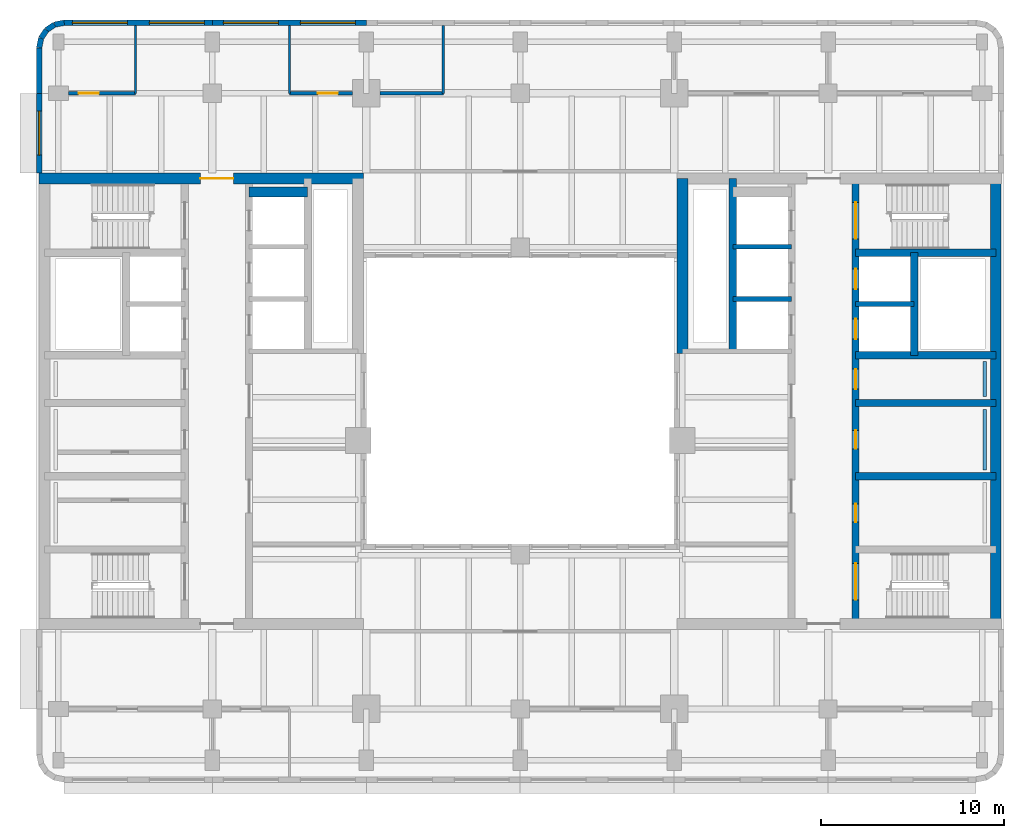
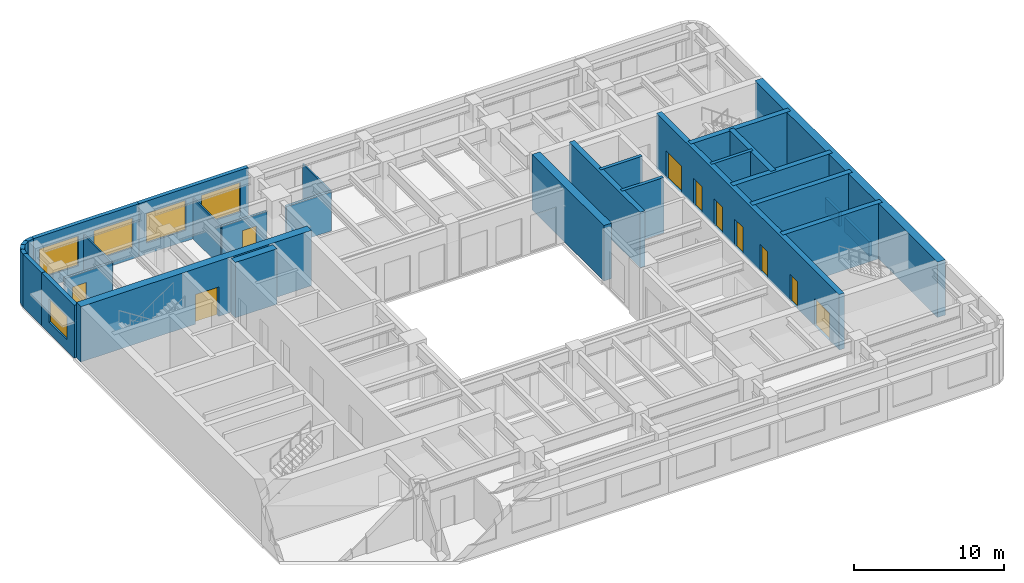
# One storey, part 6 of 13: 30 walls, 10 doors, 5 windows, 15 openings.
"""IFC4 building model written with IfcOpenShell, lengths in metres."""

from ifc_helpers import new_model, si_unit, direction, frame, frame_2d, origin, place, context, subcontext, project, spatial, rectangle, extrude, material, layer, layer_set, type_object, element, fill, save


model = new_model("IFC4")

# Units and contexts
model_context = context("Model", 3, precision=1e-05, world=origin(), true_north=direction((0.0, 1.0)))
body_context = subcontext(model_context, "Body", "Model", "MODEL_VIEW")
ifc_project = project(units=[si_unit("LENGTHUNIT", "METRE"), si_unit("AREAUNIT", "SQUARE_METRE"), si_unit("VOLUMEUNIT", "CUBIC_METRE"), si_unit("PLANEANGLEUNIT", "RADIAN"), si_unit("MASSUNIT", "GRAM", prefix="KILO")], contexts=[model_context])

# Site, building, storey
site_placement = place(None, origin())
site = spatial("IfcSite", under=ifc_project, at=site_placement, CompositionType="ELEMENT")
building_placement = place(site_placement, origin())
building = spatial("IfcBuilding", under=site, at=building_placement, Name="Claustro Exchange Tower", CompositionType="ELEMENT")
storey_placement = place(building_placement, frame((0.0, 0.0, 277.199951171875)))
storey = spatial("IfcBuildingStorey", under=building, at=storey_placement, Name="L63", CompositionType="ELEMENT", Elevation=277.199951171875)

# Walls
ifc_material_1 = material(Name="Laminated glass in aluminium frame", Category="aluminium")
ifc_layer_1 = layer(ifc_material_1, 0.1201171875)
ifc_layer_set_1 = layer_set([ifc_layer_1], Name="Laminated glass in aluminium frame")
wall_type_1 = type_object("IfcWallType", Name="P2 120 glazed partition", PredefinedType="PARTITIONING", material=ifc_layer_set_1)
for number, where, z_axis, x_axis, name in (
    (1, (4.199951171875, 42.0, 0.0), (0.0, 0.0, 1.0), (0.0, 1.0, 0.0), "Partition P2 L63"),
    (2, (12.60009765625, 42.0, 0.0), (0.0, 0.0, 1.0), (0.0, 1.0, 0.0), "Partition P2 L63"),
):
    element("IfcWall", number, at=place(storey_placement, frame(where, z_axis=z_axis, x_axis=x_axis)), inside=storey, type_object=wall_type_1, Name=name, PredefinedType="PARTITIONING", context=body_context, shape_type="SweptSolid", body=[
        extrude(rectangle(XDim=3.701904296875, YDim=0.1201171875, at=frame_2d((1.85107421875, 0.0))), origin(), (0.0, 0.0, 1.0), 3.2919921875),
    ])
wall_1_placement = place(storey_placement, frame((21.0, 42.0, 0.0), z_axis=(0.0, 0.0, 1.0), x_axis=(0.0, 1.0, 0.0)))
element("IfcWall", 3, at=wall_1_placement, inside=storey, type_object=wall_type_1, Name="Partition P2 L63", PredefinedType="PARTITIONING", context=body_context, shape_type="SweptSolid", body=[
    extrude(rectangle(XDim=3.701904296875, YDim=0.1201171875, at=frame_2d((1.85107421875, 0.0))), origin(), (0.0, 0.0, 1.0), 3.18212890625),
])

# Wall, opening, door
ifc_material_2 = material(Name="Twin-skin gypsum board on steel studs, mineral wool", Category="steel")
ifc_layer_2 = layer(ifc_material_2, 0.199951171875)
ifc_layer_set_2 = layer_set([ifc_layer_2], Name="Twin-skin gypsum board on steel studs, mineral wool")
wall_type_2 = type_object("IfcWallType", Name="P3 200 acoustic partition", PredefinedType="PARTITIONING", material=ifc_layer_set_2)
wall_2_placement = place(storey_placement, frame((0.549072265625, 42.0, 0.0), z_axis=(0.0, 0.0, 1.0), x_axis=(1.0, 0.0, 0.0)))
wall_2 = element("IfcWall", 4, at=wall_2_placement, inside=storey, type_object=wall_type_2, Name="Partition P3 L63", PredefinedType="PARTITIONING", context=body_context, shape_type="SweptSolid", body=[
    extrude(rectangle(XDim=3.65087890625, YDim=0.199951171875, at=frame_2d((1.825439453125, 0.0))), origin(), (0.0, 0.0, 1.0), 3.2919921875),
])
opening_1_placement = place(wall_2_placement, frame((0.551025390625, 0.0, 0.0)))
opening_1 = element("IfcOpeningElement", 5, at=opening_1_placement, cuts=wall_2, Name="Opening D8", PredefinedType="OPENING", context=body_context, shape_type="SweptSolid", body=[
    extrude(rectangle(XDim=1.10009765625, YDim=2.39990234375, at=frame_2d((0.550048828125, 1.199951171875))), frame((0.0, 0.10986328125, 0.0), z_axis=(0.0, -1.0, 0.0), x_axis=(1.0, 0.0, 0.0)), (0.0, 0.0, 1.0), 0.219970703125),
])
ifc_material_3 = material(Name="Timber door, walnut veneer", Category="wood")
door_type_1 = type_object("IfcDoorType", Name="D8 1100 x 2400 executive door", OperationType="SINGLE_SWING_LEFT", PredefinedType="DOOR", material=ifc_material_3)
door_1_placement = place(opening_1_placement, origin())
door_1 = element("IfcDoor", 6, at=door_1_placement, inside=storey, type_object=door_type_1, Name="Door D8 L63", OperationType="SINGLE_SWING_RIGHT", OverallHeight=2.39990234375, OverallWidth=1.10009765625, PredefinedType="DOOR", context=body_context, shape_type="SweptSolid", body=[
    extrude(rectangle(XDim=1.10009765625, YDim=2.39990234375, at=frame_2d((0.550048828125, 1.199951171875))), frame((0.0, 0.02490234375, 0.0), z_axis=(0.0, -1.0, 0.0), x_axis=(1.0, 0.0, 0.0)), (0.0, 0.0, 1.0), 0.050048828125),
])
fill(opening_1, door_1)

wall_3_placement = place(storey_placement, frame((12.60009765625, 42.0, 0.0), z_axis=(0.0, 0.0, 1.0), x_axis=(1.0, 0.0, 0.0)))
wall_3 = element("IfcWall", 7, at=wall_3_placement, inside=storey, type_object=wall_type_2, Name="Partition P3 L63", PredefinedType="PARTITIONING", context=body_context, shape_type="SweptSolid", body=[
    extrude(rectangle(XDim=3.450927734375, YDim=0.199951171875, at=frame_2d((1.7255859375, 0.0))), origin(), (0.0, 0.0, 1.0), 3.2919921875),
])
opening_2_placement = place(wall_3_placement, frame((1.550048828125, 0.0, 0.0)))
opening_2 = element("IfcOpeningElement", 8, at=opening_2_placement, cuts=wall_3, Name="Opening D8", PredefinedType="OPENING", context=body_context, shape_type="SweptSolid", body=[
    extrude(rectangle(XDim=1.10009765625, YDim=2.39990234375, at=frame_2d((0.550048828125, 1.199951171875))), frame((0.0, 0.10986328125, 0.0), z_axis=(0.0, -1.0, 0.0), x_axis=(1.0, 0.0, 0.0)), (0.0, 0.0, 1.0), 0.219970703125),
])
door_2_placement = place(opening_2_placement, origin())
door_2 = element("IfcDoor", 9, at=door_2_placement, inside=storey, type_object=door_type_1, Name="Door D8 L63", OperationType="SINGLE_SWING_LEFT", OverallHeight=2.39990234375, OverallWidth=1.10009765625, PredefinedType="DOOR", context=body_context, shape_type="SweptSolid", body=[
    extrude(rectangle(XDim=1.10009765625, YDim=2.39990234375, at=frame_2d((0.550048828125, 1.199951171875))), frame((0.0, 0.02490234375, 0.0), z_axis=(0.0, -1.0, 0.0), x_axis=(1.0, 0.0, 0.0)), (0.0, 0.0, 1.0), 0.050048828125),
])
fill(opening_2, door_2)

# Wall
wall_4_placement = place(storey_placement, frame((17.549072265625, 42.0, 0.0), z_axis=(0.0, 0.0, 1.0), x_axis=(1.0, 0.0, 0.0)))
element("IfcWall", 10, at=wall_4_placement, inside=storey, type_object=wall_type_2, Name="Partition P3 L63", PredefinedType="PARTITIONING", context=body_context, shape_type="SweptSolid", body=[
    extrude(rectangle(XDim=3.450927734375, YDim=0.199951171875, at=frame_2d((1.7255859375, 0.0))), origin(), (0.0, 0.0, 1.0), 3.18212890625),
])

# Wall, opening, window
ifc_material_4 = material(Name="Concrete HA-40 (C40/50), precast, white cement, acid-etched", Category="concrete")
ifc_layer_3 = layer(ifc_material_4, 0.300048828125)
ifc_layer_set_3 = layer_set([ifc_layer_3], Name="Concrete HA-40 (C40/50), precast, white cement, acid-etched")
wall_type_3 = type_object("IfcWallType", Name="PC1 300 precast concrete pier panel", PredefinedType="SOLIDWALL", material=ifc_layer_set_3)
wall_5_placement = place(storey_placement, frame((-1.050048828125, 37.64990234375, 0.0), z_axis=(0.0, 0.0, 1.0), x_axis=(0.0, 1.0, 0.0)))
wall_5 = element("IfcWall", 11, at=wall_5_placement, inside=storey, type_object=wall_type_3, Name="Precast pier panel PC1 L63", PredefinedType="SOLIDWALL", context=body_context, shape_type="SweptSolid", body=[
    extrude(rectangle(XDim=4.35009765625, YDim=0.300048828125, at=frame_2d((2.175048828125, 0.0))), origin(), (0.0, 0.0, 1.0), 4.300048828125),
])
opening_3_placement = place(wall_5_placement, frame((0.97509765625, 0.0, 0.89990234375)))
opening_3 = element("IfcOpeningElement", 12, at=opening_3_placement, cuts=wall_5, Name="Opening W2", PredefinedType="OPENING", context=body_context, shape_type="SweptSolid", body=[
    extrude(rectangle(XDim=2.39990234375, YDim=1.89990234375, at=frame_2d((1.199951171875, 0.949951171875))), frame((0.0, 0.159912109375, 0.0), z_axis=(0.0, -1.0, 0.0), x_axis=(1.0, 0.0, 0.0)), (0.0, 0.0, 1.0), 0.320068359375),
])
ifc_material_5 = material(Name="Aluminium frame, clear double glazing", Category="aluminium")
window_type_1 = type_object("IfcWindowType", Name="W2 2400 x 1900 window", PartitioningType="SINGLE_PANEL", PredefinedType="WINDOW", material=ifc_material_5)
window_1_placement = place(opening_3_placement, origin())
window_1 = element("IfcWindow", 13, at=window_1_placement, inside=storey, type_object=window_type_1, Name="Window W2 L63", OverallHeight=1.89990234375, OverallWidth=2.39990234375, PartitioningType="SINGLE_PANEL", PredefinedType="WINDOW", context=body_context, shape_type="SweptSolid", body=[
    extrude(rectangle(XDim=2.39990234375, YDim=1.89990234375, at=frame_2d((1.199951171875, 0.949951171875))), frame((0.0, 0.030029296875, 0.0), z_axis=(0.0, -1.0, 0.0), x_axis=(1.0, 0.0, 0.0)), (0.0, 0.0, 1.0), 0.06005859375),
])
fill(opening_3, window_1)

# Walls
wall_6_placement = place(storey_placement, frame((-1.050048828125, 42.0, 0.0), z_axis=(0.0, 0.0, 1.0), x_axis=(0.0, 1.0, 0.0)))
element("IfcWall", 14, at=wall_6_placement, inside=storey, type_object=wall_type_3, Name="Precast pier panel PC1 L63", PredefinedType="SOLIDWALL", context=body_context, shape_type="SweptSolid", body=[
    extrude(rectangle(XDim=2.485107421875, YDim=0.300048828125, at=frame_2d((1.24267578125, 0.0))), origin(), (0.0, 0.0, 1.0), 4.300048828125),
])
wall_7_placement = place(storey_placement, frame((-1.050048828125, 44.485107421875, 0.0), z_axis=(0.0, 0.0, 1.0), x_axis=(0.195073962632, 0.980788534345, 0.0)))
element("IfcWall", 15, at=wall_7_placement, inside=storey, type_object=wall_type_3, Name="Precast pier panel PC1 L63", PredefinedType="SOLIDWALL", context=body_context, shape_type="SweptSolid", body=[
    extrude(rectangle(XDim=0.540771484375, YDim=0.300048828125, at=frame_2d((0.2705078125, 0.0))), origin(), (0.0, 0.0, 1.0), 4.300048828125),
])
wall_8_placement = place(storey_placement, frame((-0.944580078125, 45.015380859375, 0.0), z_axis=(0.0, 0.0, 1.0), x_axis=(0.55534295404, 0.831621430339, 0.0)))
element("IfcWall", 16, at=wall_8_placement, inside=storey, type_object=wall_type_3, Name="Precast pier panel PC1 L63", PredefinedType="SOLIDWALL", context=body_context, shape_type="SweptSolid", body=[
    extrude(rectangle(XDim=0.52587890625, YDim=0.300048828125, at=frame_2d((0.262939453125, 0.0))), origin(), (0.0, 0.0, 1.0), 4.300048828125),
])
wall_9_placement = place(storey_placement, frame((-0.652587890625, 45.45263671875, 0.0), z_axis=(0.0, 0.0, 1.0), x_axis=(0.831692711774, 0.555236195849, 0.0)))
element("IfcWall", 17, at=wall_9_placement, inside=storey, type_object=wall_type_3, Name="Precast pier panel PC1 L63", PredefinedType="SOLIDWALL", context=body_context, shape_type="SweptSolid", body=[
    extrude(rectangle(XDim=0.525390625, YDim=0.300048828125, at=frame_2d((0.2626953125, 0.0))), origin(), (0.0, 0.0, 1.0), 4.300048828125),
])
wall_10_placement = place(storey_placement, frame((-0.215576171875, 45.744384765625, 0.0), z_axis=(0.0, 0.0, 1.0), x_axis=(0.980702050465, 0.1955082817, 0.0)))
element("IfcWall", 18, at=wall_10_placement, inside=storey, type_object=wall_type_3, Name="Precast pier panel PC1 L63", PredefinedType="SOLIDWALL", context=body_context, shape_type="SweptSolid", body=[
    extrude(rectangle(XDim=0.540771484375, YDim=0.300048828125, at=frame_2d((0.2705078125, 0.0))), origin(), (0.0, 0.0, 1.0), 4.300048828125),
])

# Wall, openings, windows
wall_11_placement = place(storey_placement, frame((0.314697265625, 45.85009765625, 0.0), z_axis=(0.0, 0.0, 1.0), x_axis=(1.0, 0.0, 0.0)))
wall_11 = element("IfcWall", 19, at=wall_11_placement, inside=storey, type_object=wall_type_3, Name="Precast pier panel PC1 L63", PredefinedType="SOLIDWALL", context=body_context, shape_type="SweptSolid", body=[
    extrude(rectangle(XDim=8.085205078125, YDim=0.300048828125, at=frame_2d((4.04248046875, 0.0))), origin(), (0.0, 0.0, 1.0), 4.300048828125),
])
opening_4_placement = place(wall_11_placement, frame((0.442626953125, 0.0, 0.89990234375)))
opening_4 = element("IfcOpeningElement", 20, at=opening_4_placement, cuts=wall_11, Name="Opening W3", PredefinedType="OPENING", context=body_context, shape_type="SweptSolid", body=[
    extrude(rectangle(XDim=3.0, YDim=2.39990234375, at=frame_2d((1.5, 1.199951171875))), frame((0.0, 0.159912109375, 0.0), z_axis=(0.0, -1.0, 0.0), x_axis=(1.0, 0.0, 0.0)), (0.0, 0.0, 1.0), 0.320068359375),
])
opening_5_placement = place(wall_11_placement, frame((4.642578125, 0.0, 0.89990234375)))
opening_5 = element("IfcOpeningElement", 21, at=opening_5_placement, cuts=wall_11, Name="Opening W3", PredefinedType="OPENING", context=body_context, shape_type="SweptSolid", body=[
    extrude(rectangle(XDim=3.0, YDim=2.39990234375, at=frame_2d((1.5, 1.199951171875))), frame((0.0, 0.159912109375, 0.0), z_axis=(0.0, -1.0, 0.0), x_axis=(1.0, 0.0, 0.0)), (0.0, 0.0, 1.0), 0.320068359375),
])
ifc_material_6 = material(Name="Aluminium frame, clear double glazing", Category="aluminium")
window_type_2 = type_object("IfcWindowType", Name="W3 3000 x 2400 window", PartitioningType="SINGLE_PANEL", PredefinedType="WINDOW", material=ifc_material_6)
window_2_placement = place(opening_4_placement, origin())
window_2 = element("IfcWindow", 22, at=window_2_placement, inside=storey, type_object=window_type_2, Name="Window W3 L63", OverallHeight=2.39990234375, OverallWidth=3.0, PartitioningType="SINGLE_PANEL", PredefinedType="WINDOW", context=body_context, shape_type="SweptSolid", body=[
    extrude(rectangle(XDim=3.0, YDim=2.39990234375, at=frame_2d((1.5, 1.199951171875))), frame((0.0, 0.030029296875, 0.0), z_axis=(0.0, -1.0, 0.0), x_axis=(1.0, 0.0, 0.0)), (0.0, 0.0, 1.0), 0.06005859375),
])
fill(opening_4, window_2)
window_3_placement = place(opening_5_placement, origin())
window_3 = element("IfcWindow", 23, at=window_3_placement, inside=storey, type_object=window_type_2, Name="Window W3 L63", OverallHeight=2.39990234375, OverallWidth=3.0, PartitioningType="SINGLE_PANEL", PredefinedType="WINDOW", context=body_context, shape_type="SweptSolid", body=[
    extrude(rectangle(XDim=3.0, YDim=2.39990234375, at=frame_2d((1.5, 1.199951171875))), frame((0.0, 0.030029296875, 0.0), z_axis=(0.0, -1.0, 0.0), x_axis=(1.0, 0.0, 0.0)), (0.0, 0.0, 1.0), 0.06005859375),
])
fill(opening_5, window_3)

wall_12_placement = place(storey_placement, frame((8.39990234375, 45.85009765625, 0.0), z_axis=(0.0, 0.0, 1.0), x_axis=(1.0, 0.0, 0.0)))
wall_12 = element("IfcWall", 24, at=wall_12_placement, inside=storey, type_object=wall_type_3, Name="Precast pier panel PC1 L63", PredefinedType="SOLIDWALL", context=body_context, shape_type="SweptSolid", body=[
    extrude(rectangle(XDim=8.400146484375, YDim=0.300048828125, at=frame_2d((4.2001953125, 0.0))), origin(), (0.0, 0.0, 1.0), 4.300048828125),
])
opening_6_placement = place(wall_12_placement, frame((0.60009765625, 0.0, 0.89990234375)))
opening_6 = element("IfcOpeningElement", 25, at=opening_6_placement, cuts=wall_12, Name="Opening W3", PredefinedType="OPENING", context=body_context, shape_type="SweptSolid", body=[
    extrude(rectangle(XDim=3.0, YDim=2.39990234375, at=frame_2d((1.5, 1.199951171875))), frame((0.0, 0.159912109375, 0.0), z_axis=(0.0, -1.0, 0.0), x_axis=(1.0, 0.0, 0.0)), (0.0, 0.0, 1.0), 0.320068359375),
])
opening_7_placement = place(wall_12_placement, frame((4.800048828125, 0.0, 0.89990234375)))
opening_7 = element("IfcOpeningElement", 26, at=opening_7_placement, cuts=wall_12, Name="Opening W3", PredefinedType="OPENING", context=body_context, shape_type="SweptSolid", body=[
    extrude(rectangle(XDim=3.0, YDim=2.39990234375, at=frame_2d((1.5, 1.199951171875))), frame((0.0, 0.159912109375, 0.0), z_axis=(0.0, -1.0, 0.0), x_axis=(1.0, 0.0, 0.0)), (0.0, 0.0, 1.0), 0.320068359375),
])
window_4_placement = place(opening_6_placement, origin())
window_4 = element("IfcWindow", 27, at=window_4_placement, inside=storey, type_object=window_type_2, Name="Window W3 L63", OverallHeight=2.39990234375, OverallWidth=3.0, PartitioningType="SINGLE_PANEL", PredefinedType="WINDOW", context=body_context, shape_type="SweptSolid", body=[
    extrude(rectangle(XDim=3.0, YDim=2.39990234375, at=frame_2d((1.5, 1.199951171875))), frame((0.0, 0.030029296875, 0.0), z_axis=(0.0, -1.0, 0.0), x_axis=(1.0, 0.0, 0.0)), (0.0, 0.0, 1.0), 0.06005859375),
])
fill(opening_6, window_4)
window_5_placement = place(opening_7_placement, origin())
window_5 = element("IfcWindow", 28, at=window_5_placement, inside=storey, type_object=window_type_2, Name="Window W3 L63", OverallHeight=2.39990234375, OverallWidth=3.0, PartitioningType="SINGLE_PANEL", PredefinedType="WINDOW", context=body_context, shape_type="SweptSolid", body=[
    extrude(rectangle(XDim=3.0, YDim=2.39990234375, at=frame_2d((1.5, 1.199951171875))), frame((0.0, 0.030029296875, 0.0), z_axis=(0.0, -1.0, 0.0), x_axis=(1.0, 0.0, 0.0)), (0.0, 0.0, 1.0), 0.06005859375),
])
fill(opening_7, window_5)

# Walls
ifc_material_7 = material(Name="Gypsum board on steel studs, tiled", Category="steel")
ifc_layer_4 = layer(ifc_material_7, 0.199951171875)
ifc_layer_set_4 = layer_set([ifc_layer_4], Name="Gypsum board on steel studs, tiled")
wall_type_4 = type_object("IfcWallType", Name="PW1 200 WC duct wall", PredefinedType="PLUMBINGWALL", material=ifc_layer_set_4)
wall_13_placement = place(storey_placement, frame((50.550048828125, 21.449951171875, 0.0), z_axis=(0.0, 0.0, 1.0), x_axis=(0.0, 1.0, 0.0)))
element("IfcWall", 29, at=wall_13_placement, inside=storey, type_object=wall_type_4, Name="WC duct wall PW1 L63", PredefinedType="PLUMBINGWALL", context=body_context, shape_type="SweptSolid", body=[
    extrude(rectangle(XDim=3.300048828125, YDim=0.199951171875, at=frame_2d((1.64990234375, 0.0))), origin(), (0.0, 0.0, 1.0), 1.199951171875),
])
wall_14_placement = place(storey_placement, frame((50.550048828125, 25.449951171875, 0.0), z_axis=(0.0, 0.0, 1.0), x_axis=(0.0, 1.0, 0.0)))
element("IfcWall", 30, at=wall_14_placement, inside=storey, type_object=wall_type_4, Name="WC duct wall PW1 L63", PredefinedType="PLUMBINGWALL", context=body_context, shape_type="SweptSolid", body=[
    extrude(rectangle(XDim=1.900146484375, YDim=0.199951171875, at=frame_2d((0.9501953125, 0.0))), origin(), (0.0, 0.0, 1.0), 1.199951171875),
])

# Wall, opening, door
ifc_material_8 = material(Name="Concrete HA-50 (C50/60)", Category="concrete")
ifc_layer_5 = layer(ifc_material_8, 0.60009765625)
ifc_layer_set_5 = layer_set([ifc_layer_5], Name="Concrete HA-50 (C50/60)")
wall_type_5 = type_object("IfcWallType", Name="SW3 600 core shear wall", PredefinedType="SHEAR", material=ifc_layer_set_5)
wall_15_placement = place(storey_placement, frame((-1.050048828125, 37.35009765625, 0.0), z_axis=(0.0, 0.0, 1.0), x_axis=(1.0, 0.0, 0.0)))
wall_15 = element("IfcWall", 31, at=wall_15_placement, inside=storey, type_object=wall_type_5, Name="Core wall SW3 W core N face L63", PredefinedType="SHEAR", context=body_context, shape_type="SweptSolid", body=[
    extrude(rectangle(XDim=17.699951171875, YDim=0.60009765625, at=frame_2d((8.85009765625, 0.0))), origin(), (0.0, 0.0, 1.0), 4.5),
])
opening_8_placement = place(wall_15_placement, frame((8.800048828125, 0.0, 0.0)))
opening_8 = element("IfcOpeningElement", 32, at=opening_8_placement, cuts=wall_15, Name="Opening D3", PredefinedType="OPENING", context=body_context, shape_type="SweptSolid", body=[
    extrude(rectangle(XDim=1.800048828125, YDim=2.39990234375, at=frame_2d((0.89990234375, 1.199951171875))), frame((0.0, 0.31005859375, 0.0), z_axis=(0.0, -1.0, 0.0), x_axis=(1.0, 0.0, 0.0)), (0.0, 0.0, 1.0), 0.6201171875),
])
ifc_material_9 = material(Name="Steel fire door, painted", Category="steel")
door_type_2 = type_object("IfcDoorType", Name="D3 1800 x 2400 fire-rated lobby double door", OperationType="DOUBLE_DOOR_SINGLE_SWING", PredefinedType="DOOR", material=ifc_material_9)
door_3_placement = place(opening_8_placement, frame((1.800048828125, 0.0, 0.0), z_axis=(0.0, 0.0, 1.0), x_axis=(-1.0, 0.0, 0.0)))
door_3 = element("IfcDoor", 33, at=door_3_placement, inside=storey, type_object=door_type_2, Name="Lift lobby door D3 L63", OperationType="DOUBLE_DOOR_SINGLE_SWING", OverallHeight=2.39990234375, OverallWidth=1.800048828125, PredefinedType="DOOR", context=body_context, shape_type="SweptSolid", body=[
    extrude(rectangle(XDim=1.800048828125, YDim=2.39990234375, at=frame_2d((0.89990234375, 1.199951171875))), frame((0.0, 0.02490234375, 0.0), z_axis=(0.0, -1.0, 0.0), x_axis=(1.0, 0.0, 0.0)), (0.0, 0.0, 1.0), 0.050048828125),
])
fill(opening_8, door_3)

# Walls
ifc_material_10 = material(Name="Concrete HA-50 (C50/60)", Category="concrete")
ifc_layer_6 = layer(ifc_material_10, 0.60009765625)
ifc_layer_set_6 = layer_set([ifc_layer_6], Name="Concrete HA-50 (C50/60)")
wall_type_6 = type_object("IfcWallType", Name="SW3X 600 exposed core shear wall, board-marked face", PredefinedType="SHEAR", material=ifc_layer_set_6)
wall_16_placement = place(storey_placement, frame((34.050048828125, 27.800048828125, 0.0), z_axis=(0.0, 0.0, 1.0), x_axis=(0.0, 1.0, 0.0)))
element("IfcWall", 34, at=wall_16_placement, inside=storey, type_object=wall_type_6, Name="Core wall SW3X E core W face L63", PredefinedType="SHEAR", context=body_context, shape_type="SweptSolid", body=[
    extrude(rectangle(XDim=9.550048828125, YDim=0.60009765625, at=frame_2d((4.77490234375, 0.0))), origin(), (0.0, 0.0, 1.0), 4.5),
])
wall_17_placement = place(storey_placement, frame((51.14990234375, 13.050048828125, 0.0), z_axis=(0.0, 0.0, 1.0), x_axis=(0.0, 1.0, 0.0)))
element("IfcWall", 35, at=wall_17_placement, inside=storey, type_object=wall_type_6, Name="Core wall SW3X E core E face L63", PredefinedType="SHEAR", context=body_context, shape_type="SweptSolid", body=[
    extrude(rectangle(XDim=24.300048828125, YDim=0.60009765625, at=frame_2d((12.14990234375, 0.0))), origin(), (0.0, 0.0, 1.0), 4.5),
])

# Wall, openings, doors
ifc_material_11 = material(Name="Concrete HA-50 (C50/60)", Category="concrete")
ifc_layer_7 = layer(ifc_material_11, 0.39990234375)
ifc_layer_set_7 = layer_set([ifc_layer_7], Name="Concrete HA-50 (C50/60)")
wall_type_7 = type_object("IfcWallType", Name="SW4 400 internal core wall", PredefinedType="SHEAR", material=ifc_layer_set_7)
wall_18_placement = place(storey_placement, frame((43.5, 13.050048828125, 0.0), z_axis=(0.0, 0.0, 1.0), x_axis=(0.0, 1.0, 0.0)))
wall_18 = element("IfcWall", 36, at=wall_18_placement, inside=storey, type_object=wall_type_7, Name="Internal core wall SW4 E core L63", PredefinedType="SHEAR", context=body_context, shape_type="SweptSolid", body=[
    extrude(rectangle(XDim=24.300048828125, YDim=0.39990234375, at=frame_2d((12.14990234375, 0.0))), origin(), (0.0, 0.0, 1.0), 4.5),
])
opening_9_placement = place(wall_18_placement, frame((1.300048828125, 0.0, 0.0)))
opening_9 = element("IfcOpeningElement", 37, at=opening_9_placement, cuts=wall_18, Name="Opening D11", PredefinedType="OPENING", context=body_context, shape_type="SweptSolid", body=[
    extrude(rectangle(XDim=2.0, YDim=2.199951171875, at=frame_2d((1.0, 1.10009765625))), frame((0.0, 0.2099609375, 0.0), z_axis=(0.0, -1.0, 0.0), x_axis=(1.0, 0.0, 0.0)), (0.0, 0.0, 1.0), 0.419921875),
])
opening_10_placement = place(wall_18_placement, frame((21.0, 0.0, 0.0)))
opening_10 = element("IfcOpeningElement", 38, at=opening_10_placement, cuts=wall_18, Name="Opening D11", PredefinedType="OPENING", context=body_context, shape_type="SweptSolid", body=[
    extrude(rectangle(XDim=2.0, YDim=2.199951171875, at=frame_2d((1.0, 1.10009765625))), frame((0.0, 0.2099609375, 0.0), z_axis=(0.0, -1.0, 0.0), x_axis=(1.0, 0.0, 0.0)), (0.0, 0.0, 1.0), 0.419921875),
])
opening_11_placement = place(wall_18_placement, frame((5.550048828125, 0.0, 0.0)))
opening_11 = element("IfcOpeningElement", 39, at=opening_11_placement, cuts=wall_18, Name="Opening D1", PredefinedType="OPENING", context=body_context, shape_type="SweptSolid", body=[
    extrude(rectangle(XDim=1.0, YDim=2.199951171875, at=frame_2d((0.5, 1.10009765625))), frame((0.0, 0.2099609375, 0.0), z_axis=(0.0, -1.0, 0.0), x_axis=(1.0, 0.0, 0.0)), (0.0, 0.0, 1.0), 0.419921875),
])
opening_12_placement = place(wall_18_placement, frame((9.550048828125, 0.0, 0.0)))
opening_12 = element("IfcOpeningElement", 40, at=opening_12_placement, cuts=wall_18, Name="Opening D1", PredefinedType="OPENING", context=body_context, shape_type="SweptSolid", body=[
    extrude(rectangle(XDim=1.0, YDim=2.199951171875, at=frame_2d((0.5, 1.10009765625))), frame((0.0, 0.2099609375, 0.0), z_axis=(0.0, -1.0, 0.0), x_axis=(1.0, 0.0, 0.0)), (0.0, 0.0, 1.0), 0.419921875),
])
opening_13_placement = place(wall_18_placement, frame((12.800048828125, 0.0, 0.0)))
opening_13 = element("IfcOpeningElement", 41, at=opening_13_placement, cuts=wall_18, Name="Opening D10", PredefinedType="OPENING", context=body_context, shape_type="SweptSolid", body=[
    extrude(rectangle(XDim=1.10009765625, YDim=2.199951171875, at=frame_2d((0.550048828125, 1.10009765625))), frame((0.0, 0.2099609375, 0.0), z_axis=(0.0, -1.0, 0.0), x_axis=(1.0, 0.0, 0.0)), (0.0, 0.0, 1.0), 0.419921875),
])
opening_14_placement = place(wall_18_placement, frame((15.53759765625, 0.0, 0.0)))
opening_14 = element("IfcOpeningElement", 42, at=opening_14_placement, cuts=wall_18, Name="Opening LD", PredefinedType="OPENING", context=body_context, shape_type="SweptSolid", body=[
    extrude(rectangle(XDim=1.10009765625, YDim=2.199951171875, at=frame_2d((0.550048828125, 1.10009765625))), frame((0.0, 0.2099609375, 0.0), z_axis=(0.0, -1.0, 0.0), x_axis=(1.0, 0.0, 0.0)), (0.0, 0.0, 1.0), 0.419921875),
])
opening_15_placement = place(wall_18_placement, frame((18.262451171875, 0.0, 0.0)))
opening_15 = element("IfcOpeningElement", 43, at=opening_15_placement, cuts=wall_18, Name="Opening LD", PredefinedType="OPENING", context=body_context, shape_type="SweptSolid", body=[
    extrude(rectangle(XDim=1.10009765625, YDim=2.199951171875, at=frame_2d((0.550048828125, 1.10009765625))), frame((0.0, 0.2099609375, 0.0), z_axis=(0.0, -1.0, 0.0), x_axis=(1.0, 0.0, 0.0)), (0.0, 0.0, 1.0), 0.419921875),
])
ifc_material_12 = material(Name="Timber door, oak veneer", Category="wood")
door_type_3 = type_object("IfcDoorType", Name="D1 1000 x 2200 single door", OperationType="SINGLE_SWING_LEFT", PredefinedType="DOOR", material=ifc_material_12)
door_4_placement = place(opening_11_placement, frame((1.0, 0.0, 0.0), z_axis=(0.0, 0.0, 1.0), x_axis=(-1.0, 0.0, 0.0)))
door_4 = element("IfcDoor", 44, at=door_4_placement, inside=storey, type_object=door_type_3, Name="Door D1 L63", OperationType="SINGLE_SWING_LEFT", OverallHeight=2.199951171875, OverallWidth=1.0, PredefinedType="DOOR", context=body_context, shape_type="SweptSolid", body=[
    extrude(rectangle(XDim=1.0, YDim=2.199951171875, at=frame_2d((0.5, 1.10009765625))), frame((0.0, 0.02490234375, 0.0), z_axis=(0.0, -1.0, 0.0), x_axis=(1.0, 0.0, 0.0)), (0.0, 0.0, 1.0), 0.050048828125),
])
fill(opening_11, door_4)
door_5_placement = place(opening_12_placement, frame((1.0, 0.0, 0.0), z_axis=(0.0, 0.0, 1.0), x_axis=(-1.0, 0.0, 0.0)))
door_5 = element("IfcDoor", 45, at=door_5_placement, inside=storey, type_object=door_type_3, Name="Door D1 L63", OperationType="SINGLE_SWING_LEFT", OverallHeight=2.199951171875, OverallWidth=1.0, PredefinedType="DOOR", context=body_context, shape_type="SweptSolid", body=[
    extrude(rectangle(XDim=1.0, YDim=2.199951171875, at=frame_2d((0.5, 1.10009765625))), frame((0.0, 0.02490234375, 0.0), z_axis=(0.0, -1.0, 0.0), x_axis=(1.0, 0.0, 0.0)), (0.0, 0.0, 1.0), 0.050048828125),
])
fill(opening_12, door_5)
ifc_material_13 = material(Name="Timber door, oak veneer", Category="wood")
door_type_4 = type_object("IfcDoorType", Name="D10 1100 x 2200 accessible WC door", OperationType="SINGLE_SWING_LEFT", PredefinedType="DOOR", material=ifc_material_13)
door_6_placement = place(opening_13_placement, origin())
door_6 = element("IfcDoor", 46, at=door_6_placement, inside=storey, type_object=door_type_4, Name="Accessible WC door D10 L63", OperationType="SINGLE_SWING_RIGHT", OverallHeight=2.199951171875, OverallWidth=1.10009765625, PredefinedType="DOOR", context=body_context, shape_type="SweptSolid", body=[
    extrude(rectangle(XDim=1.10009765625, YDim=2.199951171875, at=frame_2d((0.550048828125, 1.10009765625))), frame((0.0, 0.02490234375, 0.0), z_axis=(0.0, -1.0, 0.0), x_axis=(1.0, 0.0, 0.0)), (0.0, 0.0, 1.0), 0.050048828125),
])
fill(opening_13, door_6)
ifc_material_14 = material(Name="Steel fire door, painted", Category="steel")
door_type_5 = type_object("IfcDoorType", Name="D11 2000 x 2200 fire-rated stair double door", OperationType="DOUBLE_DOOR_SINGLE_SWING", PredefinedType="DOOR", material=ifc_material_14)
door_7_placement = place(opening_9_placement, frame((2.0, 0.0, 0.0), z_axis=(0.0, 0.0, 1.0), x_axis=(-1.0, 0.0, 0.0)))
door_7 = element("IfcDoor", 47, at=door_7_placement, inside=storey, type_object=door_type_5, Name="Stair door D11 L63", OperationType="DOUBLE_DOOR_SINGLE_SWING", OverallHeight=2.199951171875, OverallWidth=2.0, PredefinedType="DOOR", context=body_context, shape_type="SweptSolid", body=[
    extrude(rectangle(XDim=2.0, YDim=2.199951171875, at=frame_2d((1.0, 1.10009765625))), frame((0.0, 0.02490234375, 0.0), z_axis=(0.0, -1.0, 0.0), x_axis=(1.0, 0.0, 0.0)), (0.0, 0.0, 1.0), 0.050048828125),
])
fill(opening_9, door_7)
door_8_placement = place(opening_10_placement, frame((2.0, 0.0, 0.0), z_axis=(0.0, 0.0, 1.0), x_axis=(-1.0, 0.0, 0.0)))
door_8 = element("IfcDoor", 48, at=door_8_placement, inside=storey, type_object=door_type_5, Name="Stair door D11 L63", OperationType="DOUBLE_DOOR_SINGLE_SWING", OverallHeight=2.199951171875, OverallWidth=2.0, PredefinedType="DOOR", context=body_context, shape_type="SweptSolid", body=[
    extrude(rectangle(XDim=2.0, YDim=2.199951171875, at=frame_2d((1.0, 1.10009765625))), frame((0.0, 0.02490234375, 0.0), z_axis=(0.0, -1.0, 0.0), x_axis=(1.0, 0.0, 0.0)), (0.0, 0.0, 1.0), 0.050048828125),
])
fill(opening_10, door_8)
ifc_material_15 = material(Name="Stainless steel sliding door", Category="steel")
door_type_6 = type_object("IfcDoorType", Name="LD 1100 x 2200 lift landing door", OperationType="DOUBLE_DOOR_SLIDING", PredefinedType="DOOR", material=ifc_material_15)
door_9_placement = place(opening_14_placement, origin())
door_9 = element("IfcDoor", 49, at=door_9_placement, inside=storey, type_object=door_type_6, Name="Lift landing door LEE1 LD L63", OperationType="DOUBLE_DOOR_SLIDING", OverallHeight=2.199951171875, OverallWidth=1.10009765625, PredefinedType="DOOR", context=body_context, shape_type="SweptSolid", body=[
    extrude(rectangle(XDim=1.10009765625, YDim=2.199951171875, at=frame_2d((0.550048828125, 1.10009765625))), frame((0.0, 0.02490234375, 0.0), z_axis=(0.0, -1.0, 0.0), x_axis=(1.0, 0.0, 0.0)), (0.0, 0.0, 1.0), 0.050048828125),
])
fill(opening_14, door_9)
door_10_placement = place(opening_15_placement, origin())
door_10 = element("IfcDoor", 50, at=door_10_placement, inside=storey, type_object=door_type_6, Name="Lift landing door LEE2 LD L63", OperationType="DOUBLE_DOOR_SLIDING", OverallHeight=2.199951171875, OverallWidth=1.10009765625, PredefinedType="DOOR", context=body_context, shape_type="SweptSolid", body=[
    extrude(rectangle(XDim=1.10009765625, YDim=2.199951171875, at=frame_2d((0.550048828125, 1.10009765625))), frame((0.0, 0.02490234375, 0.0), z_axis=(0.0, -1.0, 0.0), x_axis=(1.0, 0.0, 0.0)), (0.0, 0.0, 1.0), 0.050048828125),
])
fill(opening_15, door_10)

# Walls
wall_19_placement = place(storey_placement, frame((36.800048828125, 27.925048828125, 0.0), z_axis=(0.0, 0.0, 1.0), x_axis=(0.0, 1.0, 0.0)))
element("IfcWall", 51, at=wall_19_placement, inside=storey, type_object=wall_type_7, Name="Internal core wall SW4 E core L63", PredefinedType="SHEAR", context=body_context, shape_type="SweptSolid", body=[
    extrude(rectangle(XDim=9.425048828125, YDim=0.39990234375, at=frame_2d((4.71240234375, 0.0))), origin(), (0.0, 0.0, 1.0), 4.5),
])
for number, where, z_axis, x_axis, name in (
    (52, (51.14990234375, 21.10009765625, 0.0), (0.0, 0.0, 1.0), (-1.0, 0.0, 0.0), "Internal core wall SW4 E core L63"),
    (53, (51.14990234375, 25.10009765625, 0.0), (0.0, 0.0, 1.0), (-1.0, 0.0, 0.0), "Internal core wall SW4 E core L63"),
    (54, (51.14990234375, 27.699951171875, 0.0), (0.0, 0.0, 1.0), (-1.0, 0.0, 0.0), "Internal core wall SW4 E core L63"),
    (55, (51.14990234375, 33.300048828125, 0.0), (0.0, 0.0, 1.0), (-1.0, 0.0, 0.0), "Internal core wall SW4 E core L63"),
):
    element("IfcWall", number, at=place(storey_placement, frame(where, z_axis=z_axis, x_axis=x_axis)), inside=storey, type_object=wall_type_7, Name=name, PredefinedType="SHEAR", context=body_context, shape_type="SweptSolid", body=[
        extrude(rectangle(XDim=7.64990234375, YDim=0.39990234375, at=frame_2d((3.824951171875, 0.0))), origin(), (0.0, 0.0, 1.0), 4.5),
    ])
wall_20_placement = place(storey_placement, frame((46.699951171875, 27.699951171875, 0.0), z_axis=(0.0, 0.0, 1.0), x_axis=(0.0, 1.0, 0.0)))
element("IfcWall", 56, at=wall_20_placement, inside=storey, type_object=wall_type_7, Name="Internal core wall SW4 E core L63", PredefinedType="SHEAR", context=body_context, shape_type="SweptSolid", body=[
    extrude(rectangle(XDim=5.60009765625, YDim=0.39990234375, at=frame_2d((2.800048828125, 0.0))), origin(), (0.0, 0.0, 1.0), 4.5),
])
ifc_material_16 = material(Name="Concrete HA-50 (C50/60)", Category="concrete")
ifc_layer_8 = layer(ifc_material_16, 0.25)
ifc_layer_set_8 = layer_set([ifc_layer_8], Name="Concrete HA-50 (C50/60)")
wall_type_8 = type_object("IfcWallType", Name="SW5 250 lift shaft divider wall", PredefinedType="SHEAR", material=ifc_layer_set_8)
for number, where, z_axis, x_axis, name in (
    (57, (46.699951171875, 30.5, 0.0), (0.0, 0.0, 1.0), (-1.0, 0.0, 0.0), "Lift shaft wall E core L63"),
    (58, (40.0, 30.77490234375, 0.0), (0.0, 0.0, 1.0), (-1.0, 0.0, 0.0), "Lift shaft wall E core L63"),
    (59, (40.0, 33.625, 0.0), (0.0, 0.0, 1.0), (-1.0, 0.0, 0.0), "Lift shaft wall E core L63"),
):
    element("IfcWall", number, at=place(storey_placement, frame(where, z_axis=z_axis, x_axis=x_axis)), inside=storey, type_object=wall_type_8, Name=name, PredefinedType="SHEAR", context=body_context, shape_type="SweptSolid", body=[
        extrude(rectangle(XDim=3.199951171875, YDim=0.25, at=frame_2d((1.60009765625, 0.0))), origin(), (0.0, 0.0, 1.0), 4.5),
    ])
ifc_material_17 = material(Name="Concrete HA-50 (C50/60)", Category="concrete")
ifc_layer_9 = layer(ifc_material_17, 0.550048828125)
ifc_layer_set_9 = layer_set([ifc_layer_9], Name="Concrete HA-50 (C50/60)")
wall_type_9 = type_object("IfcWallType", Name="SW6 550 lift shaft end wall", PredefinedType="SHEAR", material=ifc_layer_set_9)
wall_21_placement = place(storey_placement, frame((10.39990234375, 36.625, 0.0), z_axis=(0.0, 0.0, 1.0), x_axis=(1.0, 0.0, 0.0)))
element("IfcWall", 60, at=wall_21_placement, inside=storey, type_object=wall_type_9, Name="Lift shaft wall W core L63", PredefinedType="SHEAR", context=body_context, shape_type="SweptSolid", body=[
    extrude(rectangle(XDim=3.2001953125, YDim=0.550048828125, at=frame_2d((1.60009765625, 0.0))), origin(), (0.0, 0.0, 1.0), 4.5),
])

save(model, "model.ifc")
